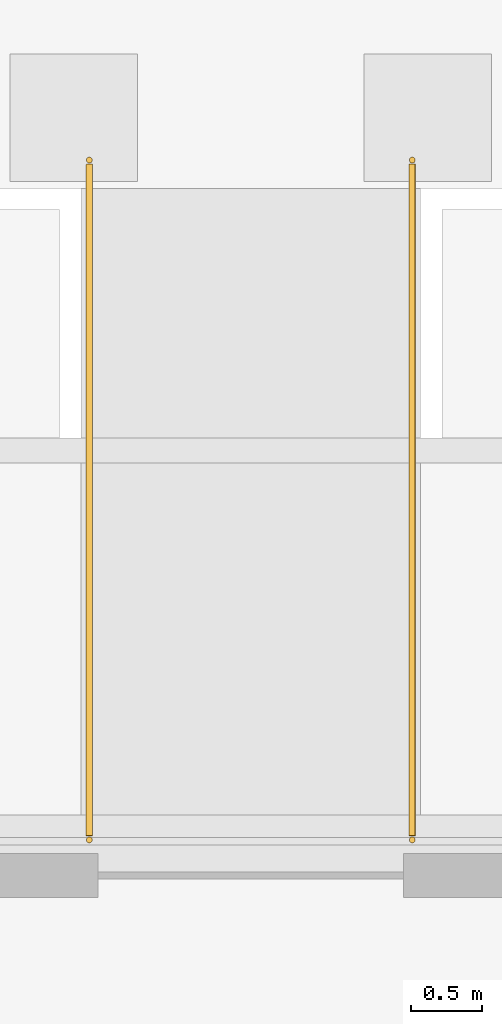
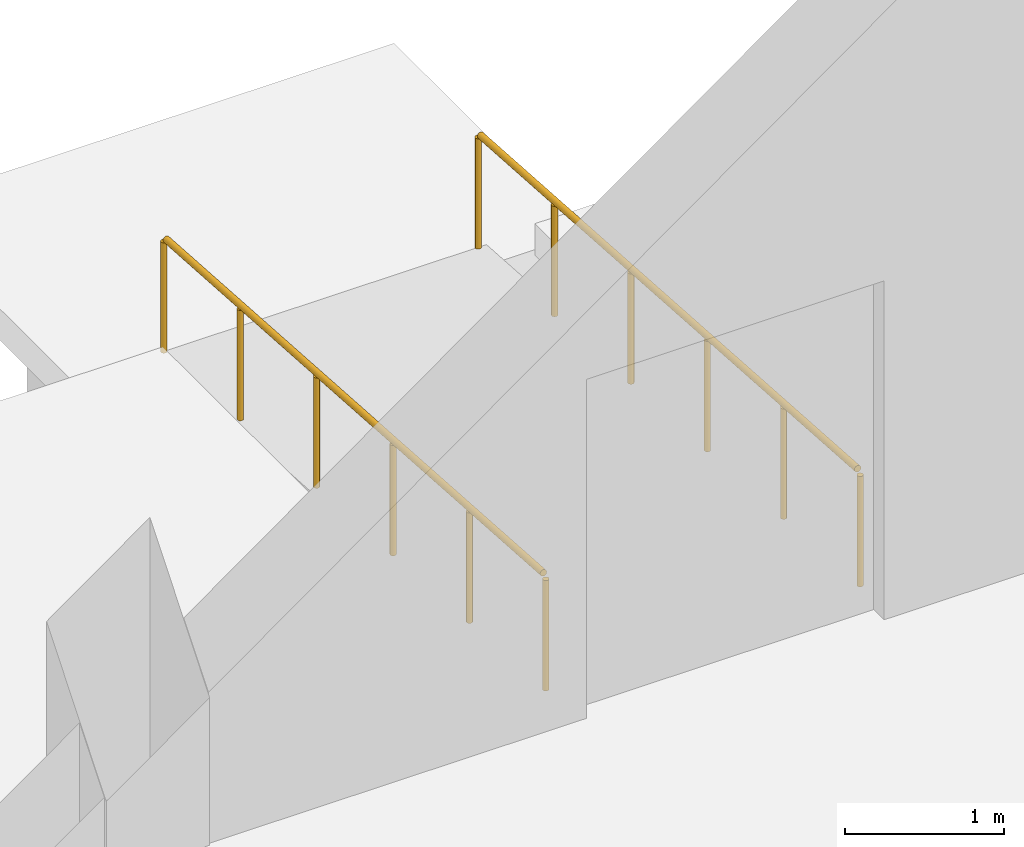
# One storey, part 40 of 43: 2 railings.
"""IFC4 building model written with IfcOpenShell, lengths in metres."""

from ifc_helpers import new_model, si_unit, direction, frame, origin, origin_2d, place, context, subcontext, project, spatial, circle, extrude, material, type_object, element, save


model = new_model("IFC4")

# Units and contexts
model_context = context("Model", 3, precision=1e-05, world=origin(), true_north=direction((0.0, 1.0)))
body_context = subcontext(model_context, "Body", "Model", "MODEL_VIEW")
ifc_project = project(units=[si_unit("LENGTHUNIT", "METRE"), si_unit("AREAUNIT", "SQUARE_METRE"), si_unit("VOLUMEUNIT", "CUBIC_METRE"), si_unit("PLANEANGLEUNIT", "RADIAN"), si_unit("MASSUNIT", "GRAM", prefix="KILO")], contexts=[model_context])

# Site, building, storey
site_placement = place(None, origin())
site = spatial("IfcSite", under=ifc_project, at=site_placement, CompositionType="ELEMENT")
building_placement = place(site_placement, origin())
building = spatial("IfcBuilding", under=site, at=building_placement, Name="Almacenes y Pasaje Nevantli", CompositionType="ELEMENT")
storey_placement = place(building_placement, origin())
storey = spatial("IfcBuildingStorey", under=building, at=storey_placement, Name="L01", CompositionType="ELEMENT", Elevation=0.0)

# Railings
ifc_material = material(Name="Brushed Stainless Steel Tube", Category="steel")
railing_type = type_object("IfcRailingType", Name="RL-HANDRAIL-900", PredefinedType="HANDRAIL", material=ifc_material)
for number, where, name in (
    (1, (78.659912109375, 122.449951171875, -0.320068359375), "Accessible Entrance Ramp RP-04 West Handrail"),
    (2, (80.93994140625, 122.449951171875, -0.320068359375), "Accessible Entrance Ramp RP-04 East Handrail"),
):
    element("IfcRailing", number, at=place(storey_placement, frame(where)), inside=storey, type_object=railing_type, Name=name, PredefinedType="HANDRAIL", context=body_context, shape_type="SweptSolid", body=[
        extrude(circle(Radius=0.02392578125, at=origin_2d()), frame((0.0, -0.030029296875, 0.8779296875), z_axis=(0.0, -0.997784259546, 0.066532483814), x_axis=(1.0, 0.0, 0.0)), (0.0, 0.0, 1.0), 4.750732421875),
        extrude(circle(Radius=0.02099609375, at=origin_2d()), origin(), (0.0, 0.0, 1.0), 0.846923828125),
        extrude(circle(Radius=0.02099609375, at=origin_2d()), frame((0.0, -0.9599609375, 0.06396484375)), (0.0, 0.0, 1.0), 0.846923828125),
        extrude(circle(Radius=0.02099609375, at=origin_2d()), frame((0.0, -1.919921875, 0.1279296875)), (0.0, 0.0, 1.0), 0.846923828125),
        extrude(circle(Radius=0.02099609375, at=origin_2d()), frame((0.0, -2.880126953125, 0.192138671875)), (0.0, 0.0, 1.0), 0.846923828125),
        extrude(circle(Radius=0.02099609375, at=origin_2d()), frame((0.0, -3.840087890625, 0.256103515625)), (0.0, 0.0, 1.0), 0.846923828125),
        extrude(circle(Radius=0.02099609375, at=origin_2d()), frame((0.0, -4.800048828125, 0.320068359375)), (0.0, 0.0, 1.0), 0.846923828125),
    ])

save(model, "model.ifc")
